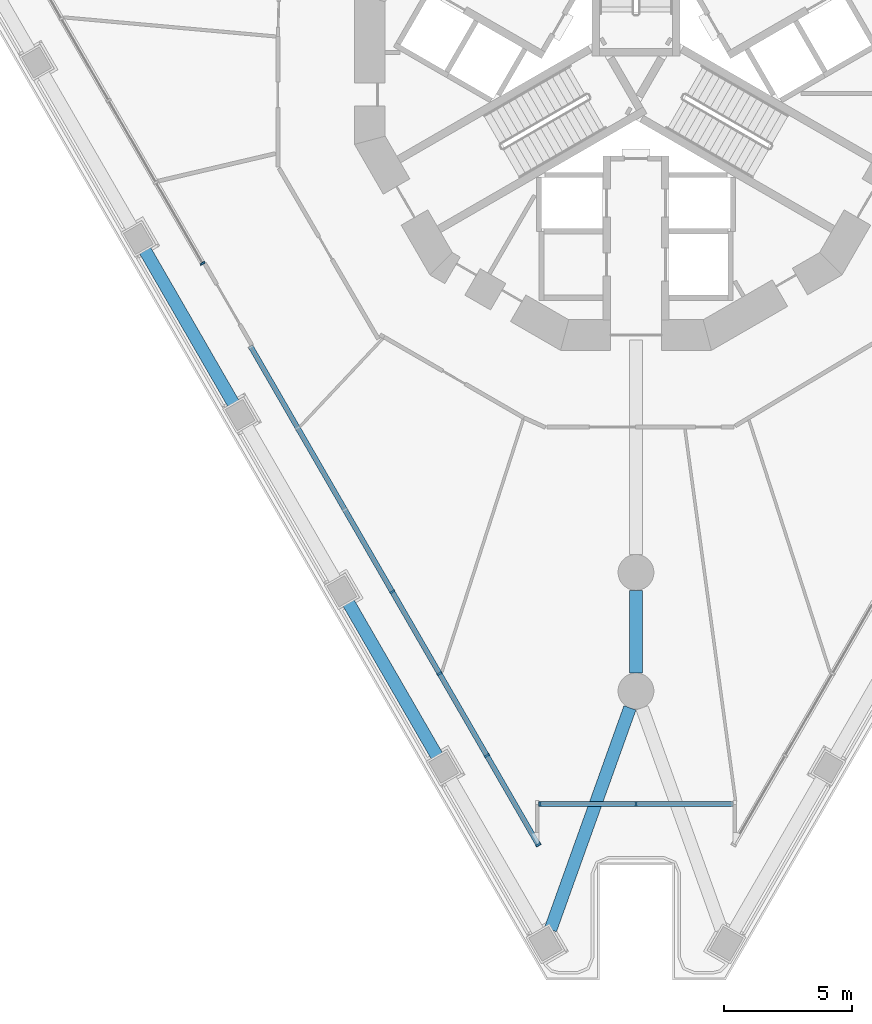
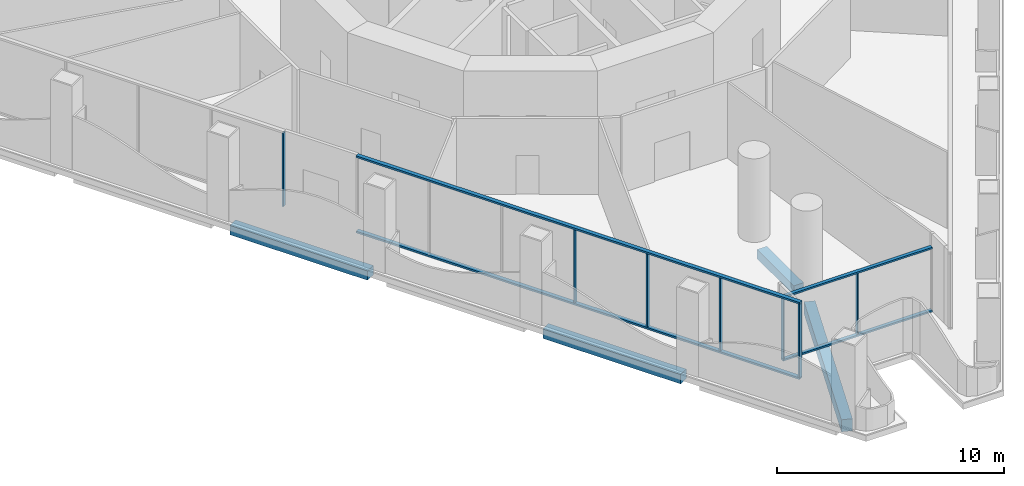
# One storey, part 2 of 22: 11 members, 4 beams, 3 elements without a shape of their own.
"""IFC4 building model written with IfcOpenShell, lengths in metres."""

from ifc_helpers import new_model, si_unit, direction, frame, origin, origin_2d, place, context, subcontext, project, spatial, rectangle, extrude, material, layer, layer_set, material_profile, profile_set, type_object, element, aggregate, save


model = new_model("IFC4")

# Units and contexts
model_context = context("Model", 3, precision=1e-05, world=origin(), true_north=direction((0.0, 1.0)))
body_context = subcontext(model_context, "Body", "Model", "MODEL_VIEW")
ifc_project = project(units=[si_unit("LENGTHUNIT", "METRE"), si_unit("AREAUNIT", "SQUARE_METRE"), si_unit("VOLUMEUNIT", "CUBIC_METRE"), si_unit("PLANEANGLEUNIT", "RADIAN"), si_unit("MASSUNIT", "GRAM", prefix="KILO")], contexts=[model_context])

# Site, building, storey
site_placement = place(None, origin())
site = spatial("IfcSite", under=ifc_project, at=site_placement, CompositionType="ELEMENT")
building_placement = place(site_placement, origin())
building = spatial("IfcBuilding", under=site, at=building_placement, Name="Trine Commons Tower", CompositionType="ELEMENT")
storey_placement = place(building_placement, frame((0.0, 0.0, 22.5)))
storey = spatial("IfcBuildingStorey", under=building, at=storey_placement, Name="L04", CompositionType="ELEMENT", Elevation=22.5)

# Curtain wall, members
ifc_material_1 = material(Name="Corner pocket glazing: anodised aluminium frame with low-emissivity double glazed unit, laminated", Category="aluminium")
ifc_layer_1 = layer(ifc_material_1, 0.179931640625)
ifc_layer_set_1 = layer_set([ifc_layer_1], Name="Corner pocket glazing: anodised aluminium frame with low-emissivity double glazed unit, laminated")
curtain_wall_type_1 = type_object("IfcCurtainWallType", Name="Corner pocket glazing curtain wall CW8", PredefinedType="NOTDEFINED", material=ifc_layer_set_1)
curtain_wall_1_placement = place(storey_placement, origin())
curtain_wall_1 = element("IfcCurtainWall", 1, at=curtain_wall_1_placement, inside=storey, type_object=curtain_wall_type_1, Name="Corner pocket glazing L04 P3.1", PredefinedType="NOTDEFINED")
ifc_material_2 = material(Name="Anodised aluminium, bronze finish", Category="aluminium")
ifc_material_profile_1 = material_profile(ifc_material_2, rectangle(XDim=0.179931640625, YDim=0.06494140625, at=origin_2d()), Name="Mullion 65x180")
ifc_profile_set_1 = profile_set([ifc_material_profile_1], Name="Anodised aluminium, bronze finish")
member_type_1 = type_object("IfcMemberType", Name="Mullion 65x180, Anodised aluminium, bronze finish", PredefinedType="MULLION", material=ifc_profile_set_1)
member_1_placement = place(storey_placement, frame((80.0, 33.74072265625, 0.090087890625), z_axis=(0.0, 0.0, 1.0), x_axis=(0.0, -1.0, 0.0)))
member_1 = element("IfcMember", 2, at=member_1_placement, type_object=member_type_1, Name="CW8 mullion 2.1", PredefinedType="MULLION", context=body_context, shape_type="SweptSolid", body=[
    extrude(rectangle(XDim=0.179931640625, YDim=0.06494140625, at=origin_2d()), origin(), (0.0, 0.0, 1.0), 3.2998046875),
])
member_2_placement = place(storey_placement, frame((76.232421875, 33.74072265625, 0.090087890625), z_axis=(0.0, 0.0, 1.0), x_axis=(0.0, -1.0, 0.0)))
member_2 = element("IfcMember", 3, at=member_2_placement, type_object=member_type_1, Name="CW8 mullion 3.1", PredefinedType="MULLION", context=body_context, shape_type="SweptSolid", body=[
    extrude(rectangle(XDim=0.179931640625, YDim=0.06494140625, at=origin_2d()), origin(), (0.0, 0.0, 1.0), 3.2998046875),
])

ifc_material_3 = material(Name="Podium glazing: anodised aluminium frame with low-emissivity double glazed unit", Category="aluminium")
ifc_layer_2 = layer(ifc_material_3, 0.199951171875)
ifc_layer_set_2 = layer_set([ifc_layer_2], Name="Podium glazing: anodised aluminium frame with low-emissivity double glazed unit")
curtain_wall_type_2 = type_object("IfcCurtainWallType", Name="Podium glazing curtain wall CW3", PredefinedType="NOTDEFINED", material=ifc_layer_set_2)
curtain_wall_2_placement = place(storey_placement, origin())
curtain_wall_2 = element("IfcCurtainWall", 4, at=curtain_wall_2_placement, inside=storey, type_object=curtain_wall_type_2, Name="Podium glazing L04 F3.1", PredefinedType="NOTDEFINED")
ifc_material_profile_2 = material_profile(ifc_material_2, rectangle(XDim=0.199951171875, YDim=0.074951171875, at=origin_2d()), Name="Mullion 75x200")
ifc_profile_set_2 = profile_set([ifc_material_profile_2], Name="Anodised aluminium, bronze finish")
member_type_2 = type_object("IfcMemberType", Name="Mullion 75x200, Anodised aluminium, bronze finish", PredefinedType="MULLION", material=ifc_profile_set_2)
member_3_placement = place(storey_placement, frame((76.18115234375, 32.14501953125, 0.10009765625), z_axis=(0.0, 0.0, 1.0), x_axis=(-0.866025403784, -0.5, 0.0)))
member_3 = element("IfcMember", 5, at=member_3_placement, type_object=member_type_2, Name="CW3 mullion 1.1", PredefinedType="MULLION", context=body_context, shape_type="SweptSolid", body=[
    extrude(rectangle(XDim=0.199951171875, YDim=0.074951171875, at=origin_2d()), origin(), (0.0, 0.0, 1.0), 3.949951171875),
])
member_4_placement = place(storey_placement, frame((74.163818359375, 35.63916015625, 0.10009765625), z_axis=(0.0, 0.0, 1.0), x_axis=(-0.866025403784, -0.5, 0.0)))
member_4 = element("IfcMember", 6, at=member_4_placement, type_object=member_type_2, Name="CW3 mullion 2.1", PredefinedType="MULLION", context=body_context, shape_type="SweptSolid", body=[
    extrude(rectangle(XDim=0.199951171875, YDim=0.074951171875, at=origin_2d()), origin(), (0.0, 0.0, 1.0), 3.949951171875),
])
member_5_placement = place(storey_placement, frame((72.314453125, 38.842529296875, 0.10009765625), z_axis=(0.0, 0.0, 1.0), x_axis=(-0.866025403784, -0.5, 0.0)))
member_5 = element("IfcMember", 7, at=member_5_placement, type_object=member_type_2, Name="CW3 mullion 3.1", PredefinedType="MULLION", context=body_context, shape_type="SweptSolid", body=[
    extrude(rectangle(XDim=0.199951171875, YDim=0.074951171875, at=origin_2d()), origin(), (0.0, 0.0, 1.0), 3.949951171875),
])
member_6_placement = place(storey_placement, frame((70.465087890625, 42.0458984375, 0.10009765625), z_axis=(0.0, 0.0, 1.0), x_axis=(-0.866025403784, -0.5, 0.0)))
member_6 = element("IfcMember", 8, at=member_6_placement, type_object=member_type_2, Name="CW3 mullion 4.1", PredefinedType="MULLION", context=body_context, shape_type="SweptSolid", body=[
    extrude(rectangle(XDim=0.199951171875, YDim=0.074951171875, at=origin_2d()), origin(), (0.0, 0.0, 1.0), 3.949951171875),
])

# Curtain wall, member
curtain_wall_3_placement = place(storey_placement, origin())
curtain_wall_3 = element("IfcCurtainWall", 9, at=curtain_wall_3_placement, inside=storey, type_object=curtain_wall_type_2, Name="Podium glazing L04 F3.2", PredefinedType="NOTDEFINED")
member_7_placement = place(storey_placement, frame((63.048583984375, 54.8916015625, 0.10009765625), z_axis=(0.0, 0.0, 1.0), x_axis=(-0.866025403784, -0.5, 0.0)))
member_7 = element("IfcMember", 10, at=member_7_placement, type_object=member_type_2, Name="CW3 mullion 1.1", PredefinedType="MULLION", context=body_context, shape_type="SweptSolid", body=[
    extrude(rectangle(XDim=0.199951171875, YDim=0.074951171875, at=origin_2d()), origin(), (0.0, 0.0, 1.0), 3.949951171875),
])
aggregate(curtain_wall_3, [member_7])

# Beams
ifc_material_4 = material(Name="Concrete C50/60", Category="concrete")
ifc_material_profile_3 = material_profile(ifc_material_4, rectangle(XDim=0.5, YDim=0.5, at=origin_2d()), Name="RC 500x500")
ifc_profile_set_3 = profile_set([ifc_material_profile_3], Name="Concrete C50/60")
beam_type_1 = type_object("IfcBeamType", Name="RC beam 500x500, C50/60", PredefinedType="BEAM", material=ifc_profile_set_3)
beam_1_placement = place(storey_placement, frame((72.236328125, 35.577880859375, -0.60009765625), z_axis=(-0.500017753321, 0.866015153657, 0.0), x_axis=(-0.866015153657, -0.500017753321, 0.0)))
element("IfcBeam", 11, at=beam_1_placement, inside=storey, type_object=beam_type_1, Name="Beam EB1-02 L04", PredefinedType="BEAM", context=body_context, shape_type="SweptSolid", body=[
    extrude(rectangle(XDim=0.5, YDim=0.5, at=origin_2d()), origin(), (0.0, 0.0, 1.0), 7.013427734375),
])
beam_2_placement = place(storey_placement, frame((64.27294921875, 49.370849609375, -0.60009765625), z_axis=(-0.499991645397, 0.866030227263, 0.0), x_axis=(-0.866030227263, -0.499991645397, 0.0)))
element("IfcBeam", 12, at=beam_2_placement, inside=storey, type_object=beam_type_1, Name="Beam EB1-04 L04", PredefinedType="BEAM", context=body_context, shape_type="SweptSolid", body=[
    extrude(rectangle(XDim=0.5, YDim=0.5, at=origin_2d()), origin(), (0.0, 0.0, 1.0), 7.01318359375),
])
beam_3_placement = place(storey_placement, frame((80.0, 42.102783203125, -0.60009765625), z_axis=(0.0, -1.0, 0.0), x_axis=(1.0, 0.0, 0.0)))
element("IfcBeam", 13, at=beam_3_placement, inside=storey, type_object=beam_type_1, Name="Beam RB1-02 L04", PredefinedType="BEAM", context=body_context, shape_type="SweptSolid", body=[
    extrude(rectangle(XDim=0.5, YDim=0.5, at=origin_2d()), origin(), (0.0, 0.0, 1.0), 3.240478515625),
])
ifc_material_profile_4 = material_profile(ifc_material_4, rectangle(XDim=0.5, YDim=0.64990234375, at=origin_2d()), Name="RC 500x650")
ifc_profile_set_4 = profile_set([ifc_material_profile_4], Name="Concrete C50/60")
beam_type_2 = type_object("IfcBeamType", Name="RC beam 500x650, C50/60", PredefinedType="BEAM", material=ifc_profile_set_4)
beam_4_placement = place(storey_placement, frame((76.654541015625, 28.8251953125, -0.675048828125), z_axis=(0.337305880684, 0.941395104542, 0.0), x_axis=(-0.941395104542, 0.337305880684, 0.0)))
element("IfcBeam", 14, at=beam_4_placement, inside=storey, type_object=beam_type_2, Name="Beam CB1-06 L04", PredefinedType="BEAM", context=body_context, shape_type="SweptSolid", body=[
    extrude(rectangle(XDim=0.5, YDim=0.64990234375, at=origin_2d()), origin(), (0.0, 0.0, 1.0), 9.218994140625),
])

# Member
ifc_material_profile_5 = material_profile(ifc_material_2, rectangle(XDim=0.199951171875, YDim=0.10009765625, at=origin_2d()), Name="Transom 100x200")
ifc_profile_set_5 = profile_set([ifc_material_profile_5], Name="Anodised aluminium, bronze finish")
member_type_3 = type_object("IfcMemberType", Name="Transom 100x200, Anodised aluminium, bronze finish", PredefinedType="USERDEFINED", material=ifc_profile_set_5)
member_8_placement = place(storey_placement, frame((76.199951171875, 32.112548828125, 0.050048828125), z_axis=(-0.499997470867, 0.866026863975, 0.0), x_axis=(-0.866026863975, -0.499997470867, 0.0)))
member_8 = element("IfcMember", 15, at=member_8_placement, type_object=member_type_3, Name="CW3 transom T00", ObjectType="TRANSOM", PredefinedType="USERDEFINED", context=body_context, shape_type="SweptSolid", body=[
    extrude(rectangle(XDim=0.199951171875, YDim=0.10009765625, at=origin_2d()), origin(), (0.0, 0.0, 1.0), 22.56640625),
])

member_9_placement = place(storey_placement, frame((76.199951171875, 32.112548828125, 4.10009765625), z_axis=(-0.499997470867, 0.866026863975, 0.0), x_axis=(-0.866026863975, -0.499997470867, 0.0)))
member_9 = element("IfcMember", 16, at=member_9_placement, type_object=member_type_3, Name="CW3 transom TH00", ObjectType="TRANSOM", PredefinedType="USERDEFINED", context=body_context, shape_type="SweptSolid", body=[
    extrude(rectangle(XDim=0.199951171875, YDim=0.10009765625, at=origin_2d()), origin(), (0.0, 0.0, 1.0), 22.56640625),
])

aggregate(curtain_wall_2, [member_8, member_9, member_3, member_4, member_5, member_6])

ifc_material_profile_6 = material_profile(ifc_material_2, rectangle(XDim=0.179931640625, YDim=0.090087890625, at=origin_2d()), Name="Transom 90x180")
ifc_profile_set_6 = profile_set([ifc_material_profile_6], Name="Anodised aluminium, bronze finish")
member_type_4 = type_object("IfcMemberType", Name="Transom 90x180, Anodised aluminium, bronze finish", PredefinedType="USERDEFINED", material=ifc_profile_set_6)
member_10_placement = place(storey_placement, frame((83.800048828125, 33.74072265625, 0.044921875), z_axis=(-1.0, 0.0, 0.0), x_axis=(0.0, -1.0, 0.0)))
member_10 = element("IfcMember", 17, at=member_10_placement, type_object=member_type_4, Name="CW8 transom T00", ObjectType="TRANSOM", PredefinedType="USERDEFINED", context=body_context, shape_type="SweptSolid", body=[
    extrude(rectangle(XDim=0.179931640625, YDim=0.090087890625, at=origin_2d()), origin(), (0.0, 0.0, 1.0), 7.60009765625),
])

member_11_placement = place(storey_placement, frame((83.800048828125, 33.74072265625, 3.43505859375), z_axis=(-1.0, 0.0, 0.0), x_axis=(0.0, -1.0, 0.0)))
member_11 = element("IfcMember", 18, at=member_11_placement, type_object=member_type_4, Name="CW8 transom TH00", ObjectType="TRANSOM", PredefinedType="USERDEFINED", context=body_context, shape_type="SweptSolid", body=[
    extrude(rectangle(XDim=0.179931640625, YDim=0.090087890625, at=origin_2d()), origin(), (0.0, 0.0, 1.0), 7.60009765625),
])

aggregate(curtain_wall_1, [member_10, member_11, member_1, member_2])

save(model, "model.ifc")
